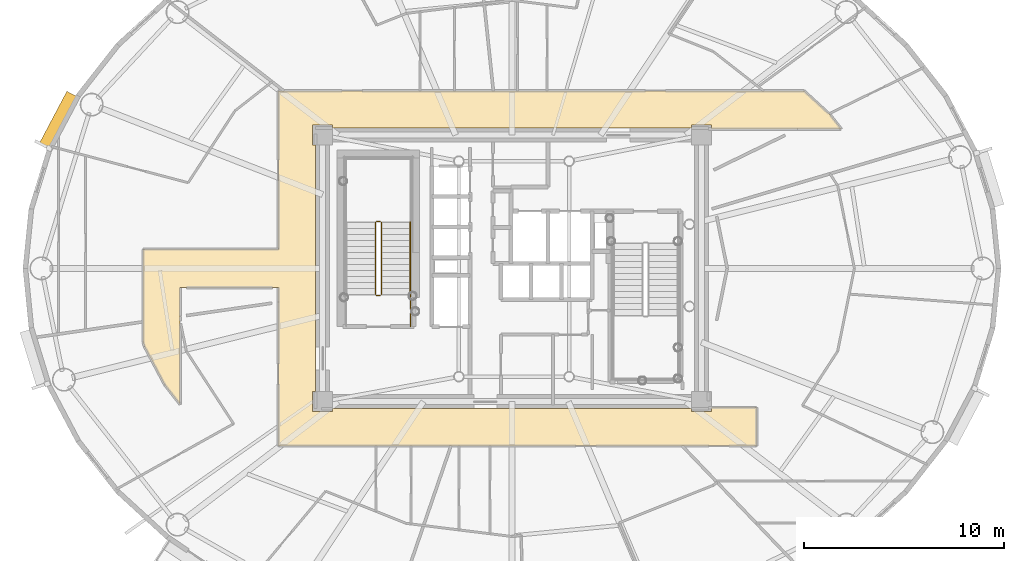
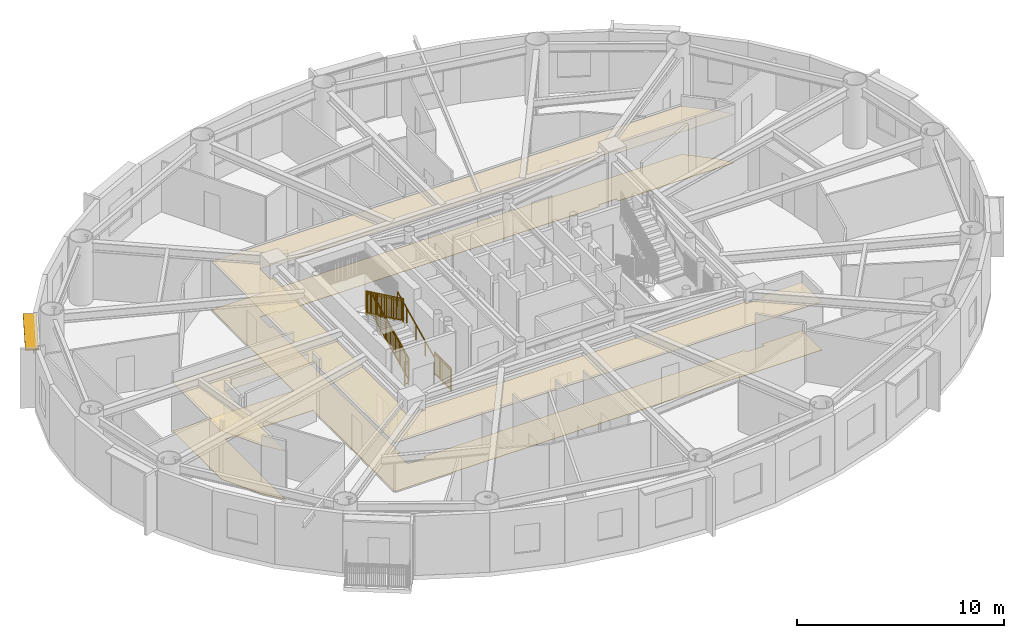
# One storey, part 15 of 19: 6 railings, 2 coverings, 1 shading device.
"""IFC4 building model written with IfcOpenShell, lengths in metres."""

from ifc_helpers import new_model, si_unit, direction, frame, origin, origin_2d, place, context, subcontext, project, spatial, polyline, rectangle, outline, extrude, source, transform, mapped, material, layer, layer_set, type_object, element, save


model = new_model("IFC4")

# Units and contexts
model_context = context("Model", 3, precision=1e-05, world=origin(), true_north=direction((0.0, 1.0)))
body_context = subcontext(model_context, "Body", "Model", "MODEL_VIEW")
ifc_project = project(units=[si_unit("LENGTHUNIT", "METRE"), si_unit("AREAUNIT", "SQUARE_METRE"), si_unit("VOLUMEUNIT", "CUBIC_METRE"), si_unit("PLANEANGLEUNIT", "RADIAN"), si_unit("MASSUNIT", "GRAM", prefix="KILO")], contexts=[model_context])

# Site, building, storey
site_placement = place(None, origin())
site = spatial("IfcSite", under=ifc_project, at=site_placement, CompositionType="ELEMENT")
building_placement = place(site_placement, origin())
building = spatial("IfcBuilding", under=site, at=building_placement, Name="Linh Dai School and Residence Tower", CompositionType="ELEMENT")
storey_placement = place(building_placement, frame((0.0, 0.0, 236.550048828125)))
storey = spatial("IfcBuildingStorey", under=building, at=storey_placement, Name="L58", CompositionType="ELEMENT", Elevation=236.550048828125)

# Coverings
ifc_material_1 = material(Name="Mineral Fibre Acoustic Suspended Ceiling", Category="masonry")
ifc_layer_1 = layer(ifc_material_1, 0.02001953125)
ifc_layer_set_1 = layer_set([ifc_layer_1], Name="Mineral Fibre Acoustic Suspended Ceiling")
covering_type_1 = type_object("IfcCoveringType", Name="COV-CEIL-AC-20", PredefinedType="CEILING", material=ifc_layer_set_1)
covering_1_placement = place(storey_placement, frame((0.0, 0.0, 2.849853515625)))
element("IfcCovering", 1, at=covering_1_placement, inside=storey, type_object=covering_type_1, Name="L58 Residential Floor Corridor Suspended Ceiling", PredefinedType="CEILING", context=body_context, shape_type="SweptSolid", body=[
    extrude(outline(polyline([(19.449951171875, 20.211181640625), (18.6806640625, 21.1943359375), (17.66650390625, 23.111083984375), (17.60009765625, 23.327880859375), (17.60009765625, 27.949951171875), (24.35009765625, 27.949951171875), (24.35009765625, 35.85009765625), (50.56787109375, 35.85009765625), (51.873779296875, 34.65283203125), (52.423828125, 33.949951171875), (45.949951171875, 33.949951171875), (45.949951171875, 34.14990234375), (44.949951171875, 34.14990234375), (44.949951171875, 34.0), (27.050048828125, 34.0), (27.050048828125, 34.14990234375), (26.050048828125, 34.14990234375), (26.050048828125, 33.14990234375), (26.199951171875, 33.14990234375), (26.199951171875, 20.85009765625), (26.050048828125, 20.85009765625), (26.050048828125, 19.85009765625), (27.050048828125, 19.85009765625), (27.050048828125, 20.0), (44.949951171875, 20.0), (44.949951171875, 19.85009765625), (45.949951171875, 19.85009765625), (45.949951171875, 20.050048828125), (48.199951171875, 20.050048828125), (48.199951171875, 18.14990234375), (24.35009765625, 18.14990234375), (24.35009765625, 26.050048828125), (19.449951171875, 26.050048828125), (19.449951171875, 20.211181640625)])), origin(), (0.0, 0.0, 1.0), 0.02001953125),
])
ifc_material_2 = material(Name="Polished Terrazzo Floor Finish", Category="masonry")
ifc_layer_2 = layer(ifc_material_2, 0.02490234375)
ifc_layer_set_2 = layer_set([ifc_layer_2], Name="Polished Terrazzo Floor Finish")
covering_type_2 = type_object("IfcCoveringType", Name="COV-FLR-TRZ-25", PredefinedType="FLOORING", material=ifc_layer_set_2)
covering_2_placement = place(storey_placement, origin())
element("IfcCovering", 2, at=covering_2_placement, inside=storey, type_object=covering_type_2, Name="L58 Residential Floor Corridor Floor Finish", PredefinedType="FLOORING", context=body_context, shape_type="SweptSolid", body=[
    extrude(outline(polyline([(19.449951171875, 20.211181640625), (18.6806640625, 21.1943359375), (17.66650390625, 23.111083984375), (17.60009765625, 23.327880859375), (17.60009765625, 27.949951171875), (24.35009765625, 27.949951171875), (24.35009765625, 35.85009765625), (50.56787109375, 35.85009765625), (51.873779296875, 34.65283203125), (52.423828125, 33.949951171875), (45.949951171875, 33.949951171875), (45.949951171875, 34.14990234375), (44.949951171875, 34.14990234375), (44.949951171875, 34.0), (27.050048828125, 34.0), (27.050048828125, 34.14990234375), (26.050048828125, 34.14990234375), (26.050048828125, 33.14990234375), (26.199951171875, 33.14990234375), (26.199951171875, 20.85009765625), (26.050048828125, 20.85009765625), (26.050048828125, 19.85009765625), (27.050048828125, 19.85009765625), (27.050048828125, 20.0), (44.949951171875, 20.0), (44.949951171875, 19.85009765625), (45.949951171875, 19.85009765625), (45.949951171875, 20.050048828125), (48.199951171875, 20.050048828125), (48.199951171875, 18.14990234375), (24.35009765625, 18.14990234375), (24.35009765625, 26.050048828125), (19.449951171875, 26.050048828125), (19.449951171875, 20.211181640625)])), origin(), (0.0, 0.0, 1.0), 0.02001953125),
])

# Shading device
ifc_material_3 = material(Name="Terracotta Ceramic Sunshade", Category="masonry")
ifc_layer_3 = layer(ifc_material_3, 0.10009765625)
ifc_layer_set_3 = layer_set([ifc_layer_3], Name="Terracotta Ceramic Sunshade")
shading_device_type = type_object("IfcShadingDeviceType", Name="SHD-TC-650", PredefinedType="USERDEFINED", material=ifc_layer_set_3)
shared_shape_1 = source(origin(), body_context, "Body", "SweptSolid", [
    extrude(rectangle(XDim=2.986083984375, YDim=0.64990234375, at=origin_2d()), origin(), (0.0, 0.0, 1.0), 0.10009765625),
])
shading_device_placement = place(storey_placement, frame((13.385009765625, 34.36376953125, 3.3798828125), z_axis=(0.0, 0.0, 1.0), x_axis=(0.467621224891, 0.883928950783, 0.0)))
element("IfcShadingDevice", 3, at=shading_device_placement, inside=storey, type_object=shading_device_type, Name="L58 Terracotta Horizontal Sunshade Band 18", ObjectType="SUNSHADE", PredefinedType="USERDEFINED", context=body_context, shape_type="MappedRepresentation", body=[
    mapped(shared_shape_1, transform((0.0, 0.0, 0.0), x_axis=(1.0, 0.0, 0.0), y_axis=(0.0, 1.0, 0.0), z_axis=(0.0, 0.0, 1.0), scale=1.0)),
])

# Railings
ifc_material_4 = material(Name="Structural Steel S355JR", Category="steel")
railing_type_1 = type_object("IfcRailingType", Name="RL-ST-GUARD-1400", PredefinedType="GUARDRAIL", material=ifc_material_4)
shared_shape_2 = source(origin(), body_context, "Body", "SweptSolid", [
    extrude(rectangle(XDim=0.048095703125, YDim=0.048095703125, at=origin_2d()), frame((0.0, 0.0, 1.3759765625), z_axis=(-1.0, 0.0, 0.0), x_axis=(0.0, -1.0, 0.0)), (0.0, 0.0, 1.0), 0.199951171875),
    extrude(rectangle(XDim=0.048095703125, YDim=0.048095703125, at=origin_2d()), frame((0.0, 0.0, 0.10009765625), z_axis=(-1.0, 0.0, 0.0), x_axis=(0.0, -1.0, 0.0)), (0.0, 0.0, 1.0), 0.199951171875),
    extrude(rectangle(XDim=0.030029296875, YDim=0.030029296875, at=origin_2d()), frame((0.0, 0.0, 1.239990234375), z_axis=(-1.0, 0.0, 0.0), x_axis=(0.0, -1.0, 0.0)), (0.0, 0.0, 1.0), 0.199951171875),
    extrude(rectangle(XDim=0.0419921875, YDim=0.0419921875, at=origin_2d()), origin(), (0.0, 0.0, 1.0), 1.3759765625),
    extrude(rectangle(XDim=0.0419921875, YDim=0.0419921875, at=origin_2d()), frame((-0.199951171875, 0.0, 0.0)), (0.0, 0.0, 1.0), 1.3759765625),
])
for number, where, name in (
    (4, (29.429931640625, 29.35009765625, 1.875), "L58 ST1 stair guard 2"),
    (5, (29.429931640625, 25.64990234375, 0.0), "L58 ST1 stair guard 7"),
):
    element("IfcRailing", number, at=place(storey_placement, frame(where)), inside=storey, type_object=railing_type_1, Name=name, PredefinedType="GUARDRAIL", context=body_context, shape_type="MappedRepresentation", body=[
        mapped(shared_shape_2, transform((0.0, 0.0, 0.0), x_axis=(1.0, 0.0, 0.0), y_axis=(0.0, 1.0, 0.0), z_axis=(0.0, 0.0, 1.0), scale=1.0)),
    ])
shared_shape_3 = source(origin(), body_context, "Body", "SweptSolid", [
    extrude(rectangle(XDim=0.048095703125, YDim=0.048095703125, at=origin_2d()), frame((0.0, 0.0, 1.3759765625), z_axis=(0.0, 1.0, 0.0), x_axis=(-1.0, 0.0, 0.0)), (0.0, 0.0, 1.0), 1.599853515625),
    extrude(rectangle(XDim=0.048095703125, YDim=0.048095703125, at=origin_2d()), frame((0.0, 0.0, 0.10009765625), z_axis=(0.0, 1.0, 0.0), x_axis=(-1.0, 0.0, 0.0)), (0.0, 0.0, 1.0), 1.599853515625),
    extrude(rectangle(XDim=0.030029296875, YDim=0.030029296875, at=origin_2d()), frame((0.0, 0.0, 1.239990234375), z_axis=(0.0, 1.0, 0.0), x_axis=(-1.0, 0.0, 0.0)), (0.0, 0.0, 1.0), 1.599853515625),
    extrude(rectangle(XDim=0.02001953125, YDim=0.02001953125, at=origin_2d()), frame((0.0, 0.093994140625, 0.10009765625)), (0.0, 0.0, 1.0), 1.251708984375),
    extrude(rectangle(XDim=0.02001953125, YDim=0.02001953125, at=origin_2d()), frame((0.0, 0.188232421875, 0.10009765625)), (0.0, 0.0, 1.0), 1.251708984375),
    extrude(rectangle(XDim=0.02001953125, YDim=0.02001953125, at=origin_2d()), frame((0.0, 0.2822265625, 0.10009765625)), (0.0, 0.0, 1.0), 1.251708984375),
    extrude(rectangle(XDim=0.02001953125, YDim=0.02001953125, at=origin_2d()), frame((0.0, 0.37646484375, 0.10009765625)), (0.0, 0.0, 1.0), 1.251708984375),
    extrude(rectangle(XDim=0.02001953125, YDim=0.02001953125, at=origin_2d()), frame((0.0, 0.470458984375, 0.10009765625)), (0.0, 0.0, 1.0), 1.251708984375),
    extrude(rectangle(XDim=0.02001953125, YDim=0.02001953125, at=origin_2d()), frame((0.0, 0.564697265625, 0.10009765625)), (0.0, 0.0, 1.0), 1.251708984375),
    extrude(rectangle(XDim=0.02001953125, YDim=0.02001953125, at=origin_2d()), frame((0.0, 0.65869140625, 0.10009765625)), (0.0, 0.0, 1.0), 1.251708984375),
    extrude(rectangle(XDim=0.02001953125, YDim=0.02001953125, at=origin_2d()), frame((0.0, 0.7529296875, 0.10009765625)), (0.0, 0.0, 1.0), 1.251708984375),
    extrude(rectangle(XDim=0.02001953125, YDim=0.02001953125, at=origin_2d()), frame((0.0, 0.846923828125, 0.10009765625)), (0.0, 0.0, 1.0), 1.251708984375),
    extrude(rectangle(XDim=0.02001953125, YDim=0.02001953125, at=origin_2d()), frame((0.0, 0.941162109375, 0.10009765625)), (0.0, 0.0, 1.0), 1.251708984375),
    extrude(rectangle(XDim=0.02001953125, YDim=0.02001953125, at=origin_2d()), frame((0.0, 1.03515625, 0.10009765625)), (0.0, 0.0, 1.0), 1.251708984375),
    extrude(rectangle(XDim=0.02001953125, YDim=0.02001953125, at=origin_2d()), frame((0.0, 1.12939453125, 0.10009765625)), (0.0, 0.0, 1.0), 1.251708984375),
    extrude(rectangle(XDim=0.02001953125, YDim=0.02001953125, at=origin_2d()), frame((0.0, 1.223388671875, 0.10009765625)), (0.0, 0.0, 1.0), 1.251708984375),
    extrude(rectangle(XDim=0.02001953125, YDim=0.02001953125, at=origin_2d()), frame((0.0, 1.317626953125, 0.10009765625)), (0.0, 0.0, 1.0), 1.251708984375),
    extrude(rectangle(XDim=0.02001953125, YDim=0.02001953125, at=origin_2d()), frame((0.0, 1.41162109375, 0.10009765625)), (0.0, 0.0, 1.0), 1.251708984375),
    extrude(rectangle(XDim=0.02001953125, YDim=0.02001953125, at=origin_2d()), frame((0.0, 1.505859375, 0.10009765625)), (0.0, 0.0, 1.0), 1.251708984375),
    extrude(rectangle(XDim=0.0419921875, YDim=0.0419921875, at=origin_2d()), origin(), (0.0, 0.0, 1.0), 1.3759765625),
    extrude(rectangle(XDim=0.0419921875, YDim=0.0419921875, at=origin_2d()), frame((0.0, 0.7998046875, 0.0)), (0.0, 0.0, 1.0), 1.3759765625),
    extrude(rectangle(XDim=0.0419921875, YDim=0.0419921875, at=origin_2d()), frame((0.0, 1.599853515625, 0.0)), (0.0, 0.0, 1.0), 1.3759765625),
])
railing_1_placement = place(storey_placement, frame((30.929931640625, 24.10009765625, 0.0)))
element("IfcRailing", 6, at=railing_1_placement, inside=storey, type_object=railing_type_1, Name="L58 ST1 stair guard 8", PredefinedType="GUARDRAIL", context=body_context, shape_type="MappedRepresentation", body=[
    mapped(shared_shape_3, transform((0.0, 0.0, 0.0), x_axis=(1.0, 0.0, 0.0), y_axis=(0.0, 1.0, 0.0), z_axis=(0.0, 0.0, 1.0), scale=1.0)),
])
shared_shape_4 = source(origin(), body_context, "Body", "SweptSolid", [
    extrude(rectangle(XDim=0.048095703125, YDim=0.048095703125, at=origin_2d()), frame((0.0, 0.0, 1.3759765625), z_axis=(0.0, 0.901262522062, 0.433273431364), x_axis=(-1.0, 0.0, 0.0)), (0.0, 0.0, 1.0), 3.994384765625),
    extrude(rectangle(XDim=0.048095703125, YDim=0.048095703125, at=origin_2d()), frame((0.0, 0.0, 0.10009765625), z_axis=(0.0, 0.901262522062, 0.433273431364), x_axis=(-1.0, 0.0, 0.0)), (0.0, 0.0, 1.0), 3.994384765625),
    extrude(rectangle(XDim=0.030029296875, YDim=0.030029296875, at=origin_2d()), frame((0.0, 0.0, 1.239990234375), z_axis=(0.0, 0.901262522062, 0.433273431364), x_axis=(-1.0, 0.0, 0.0)), (0.0, 0.0, 1.0), 3.994384765625),
    extrude(rectangle(XDim=0.02001953125, YDim=0.02001953125, at=origin_2d()), frame((0.0, 0.087890625, 0.142333984375)), (0.0, 0.0, 1.0), 1.251708984375),
    extrude(rectangle(XDim=0.02001953125, YDim=0.02001953125, at=origin_2d()), frame((0.0, 0.175537109375, 0.1845703125)), (0.0, 0.0, 1.0), 1.251708984375),
    extrude(rectangle(XDim=0.02001953125, YDim=0.02001953125, at=origin_2d()), frame((0.0, 0.263427734375, 0.226806640625)), (0.0, 0.0, 1.0), 1.251708984375),
    extrude(rectangle(XDim=0.02001953125, YDim=0.02001953125, at=origin_2d()), frame((0.0, 0.351318359375, 0.26904296875)), (0.0, 0.0, 1.0), 1.251708984375),
    extrude(rectangle(XDim=0.02001953125, YDim=0.02001953125, at=origin_2d()), frame((0.0, 0.43896484375, 0.311279296875)), (0.0, 0.0, 1.0), 1.251708984375),
    extrude(rectangle(XDim=0.02001953125, YDim=0.02001953125, at=origin_2d()), frame((0.0, 0.52685546875, 0.353271484375)), (0.0, 0.0, 1.0), 1.251708984375),
    extrude(rectangle(XDim=0.02001953125, YDim=0.02001953125, at=origin_2d()), frame((0.0, 0.61474609375, 0.3955078125)), (0.0, 0.0, 1.0), 1.251708984375),
    extrude(rectangle(XDim=0.02001953125, YDim=0.02001953125, at=origin_2d()), frame((0.0, 0.702392578125, 0.437744140625)), (0.0, 0.0, 1.0), 1.251708984375),
    extrude(rectangle(XDim=0.02001953125, YDim=0.02001953125, at=origin_2d()), frame((0.0, 0.790283203125, 0.47998046875)), (0.0, 0.0, 1.0), 1.251708984375),
    extrude(rectangle(XDim=0.02001953125, YDim=0.02001953125, at=origin_2d()), frame((0.0, 0.9658203125, 0.564453125)), (0.0, 0.0, 1.0), 1.251708984375),
    extrude(rectangle(XDim=0.02001953125, YDim=0.02001953125, at=origin_2d()), frame((0.0, 1.0537109375, 0.606689453125)), (0.0, 0.0, 1.0), 1.251708984375),
    extrude(rectangle(XDim=0.02001953125, YDim=0.02001953125, at=origin_2d()), frame((0.0, 1.1416015625, 0.64892578125)), (0.0, 0.0, 1.0), 1.251708984375),
    extrude(rectangle(XDim=0.02001953125, YDim=0.02001953125, at=origin_2d()), frame((0.0, 1.229248046875, 0.691162109375)), (0.0, 0.0, 1.0), 1.251708984375),
    extrude(rectangle(XDim=0.02001953125, YDim=0.02001953125, at=origin_2d()), frame((0.0, 1.317138671875, 0.7333984375)), (0.0, 0.0, 1.0), 1.251708984375),
    extrude(rectangle(XDim=0.02001953125, YDim=0.02001953125, at=origin_2d()), frame((0.0, 1.405029296875, 0.775390625)), (0.0, 0.0, 1.0), 1.251708984375),
    extrude(rectangle(XDim=0.02001953125, YDim=0.02001953125, at=origin_2d()), frame((0.0, 1.49267578125, 0.817626953125)), (0.0, 0.0, 1.0), 1.251708984375),
    extrude(rectangle(XDim=0.02001953125, YDim=0.02001953125, at=origin_2d()), frame((0.0, 1.58056640625, 0.85986328125)), (0.0, 0.0, 1.0), 1.251708984375),
    extrude(rectangle(XDim=0.02001953125, YDim=0.02001953125, at=origin_2d()), frame((0.0, 1.66845703125, 0.902099609375)), (0.0, 0.0, 1.0), 1.251708984375),
    extrude(rectangle(XDim=0.02001953125, YDim=0.02001953125, at=origin_2d()), frame((0.0, 1.756103515625, 0.9443359375)), (0.0, 0.0, 1.0), 1.251708984375),
    extrude(rectangle(XDim=0.02001953125, YDim=0.02001953125, at=origin_2d()), frame((0.0, 1.843994140625, 0.986572265625)), (0.0, 0.0, 1.0), 1.251708984375),
    extrude(rectangle(XDim=0.02001953125, YDim=0.02001953125, at=origin_2d()), frame((0.0, 1.931640625, 1.02880859375)), (0.0, 0.0, 1.0), 1.251708984375),
    extrude(rectangle(XDim=0.02001953125, YDim=0.02001953125, at=origin_2d()), frame((0.0, 2.01953125, 1.071044921875)), (0.0, 0.0, 1.0), 1.251708984375),
    extrude(rectangle(XDim=0.02001953125, YDim=0.02001953125, at=origin_2d()), frame((0.0, 2.107421875, 1.11328125)), (0.0, 0.0, 1.0), 1.251708984375),
    extrude(rectangle(XDim=0.02001953125, YDim=0.02001953125, at=origin_2d()), frame((0.0, 2.195068359375, 1.155517578125)), (0.0, 0.0, 1.0), 1.251708984375),
    extrude(rectangle(XDim=0.02001953125, YDim=0.02001953125, at=origin_2d()), frame((0.0, 2.282958984375, 1.197509765625)), (0.0, 0.0, 1.0), 1.251708984375),
    extrude(rectangle(XDim=0.02001953125, YDim=0.02001953125, at=origin_2d()), frame((0.0, 2.370849609375, 1.23974609375)), (0.0, 0.0, 1.0), 1.251708984375),
    extrude(rectangle(XDim=0.02001953125, YDim=0.02001953125, at=origin_2d()), frame((0.0, 2.45849609375, 1.281982421875)), (0.0, 0.0, 1.0), 1.251708984375),
    extrude(rectangle(XDim=0.02001953125, YDim=0.02001953125, at=origin_2d()), frame((0.0, 2.54638671875, 1.32421875)), (0.0, 0.0, 1.0), 1.251708984375),
    extrude(rectangle(XDim=0.02001953125, YDim=0.02001953125, at=origin_2d()), frame((0.0, 2.63427734375, 1.366455078125)), (0.0, 0.0, 1.0), 1.251708984375),
    extrude(rectangle(XDim=0.02001953125, YDim=0.02001953125, at=origin_2d()), frame((0.0, 2.809814453125, 1.450927734375)), (0.0, 0.0, 1.0), 1.251708984375),
    extrude(rectangle(XDim=0.02001953125, YDim=0.02001953125, at=origin_2d()), frame((0.0, 2.897705078125, 1.4931640625)), (0.0, 0.0, 1.0), 1.251708984375),
    extrude(rectangle(XDim=0.02001953125, YDim=0.02001953125, at=origin_2d()), frame((0.0, 2.9853515625, 1.535400390625)), (0.0, 0.0, 1.0), 1.251708984375),
    extrude(rectangle(XDim=0.02001953125, YDim=0.02001953125, at=origin_2d()), frame((0.0, 3.0732421875, 1.57763671875)), (0.0, 0.0, 1.0), 1.251708984375),
    extrude(rectangle(XDim=0.02001953125, YDim=0.02001953125, at=origin_2d()), frame((0.0, 3.1611328125, 1.61962890625)), (0.0, 0.0, 1.0), 1.251708984375),
    extrude(rectangle(XDim=0.02001953125, YDim=0.02001953125, at=origin_2d()), frame((0.0, 3.248779296875, 1.661865234375)), (0.0, 0.0, 1.0), 1.251708984375),
    extrude(rectangle(XDim=0.02001953125, YDim=0.02001953125, at=origin_2d()), frame((0.0, 3.336669921875, 1.7041015625)), (0.0, 0.0, 1.0), 1.251708984375),
    extrude(rectangle(XDim=0.02001953125, YDim=0.02001953125, at=origin_2d()), frame((0.0, 3.424560546875, 1.746337890625)), (0.0, 0.0, 1.0), 1.251708984375),
    extrude(rectangle(XDim=0.02001953125, YDim=0.02001953125, at=origin_2d()), frame((0.0, 3.51220703125, 1.78857421875)), (0.0, 0.0, 1.0), 1.251708984375),
    extrude(rectangle(XDim=0.0419921875, YDim=0.0419921875, at=origin_2d()), origin(), (0.0, 0.0, 1.0), 1.3759765625),
    extrude(rectangle(XDim=0.0419921875, YDim=0.0419921875, at=origin_2d()), frame((0.0, 0.89990234375, 0.4326171875)), (0.0, 0.0, 1.0), 1.3759765625),
    extrude(rectangle(XDim=0.0419921875, YDim=0.0419921875, at=origin_2d()), frame((0.0, 1.800048828125, 0.865234375)), (0.0, 0.0, 1.0), 1.3759765625),
    extrude(rectangle(XDim=0.0419921875, YDim=0.0419921875, at=origin_2d()), frame((0.0, 2.7001953125, 1.298095703125)), (0.0, 0.0, 1.0), 1.3759765625),
    extrude(rectangle(XDim=0.0419921875, YDim=0.0419921875, at=origin_2d()), frame((0.0, 3.60009765625, 1.730712890625)), (0.0, 0.0, 1.0), 1.3759765625),
])
railing_2_placement = place(storey_placement, frame((29.47998046875, 25.699951171875, 0.144287109375)))
element("IfcRailing", 7, at=railing_2_placement, inside=storey, type_object=railing_type_1, Name="L58 ST1 stair guard 1", PredefinedType="GUARDRAIL", context=body_context, shape_type="MappedRepresentation", body=[
    mapped(shared_shape_4, transform((0.0, 0.0, 0.0), x_axis=(1.0, 0.0, 0.0), y_axis=(0.0, 1.0, 0.0), z_axis=(0.0, 0.0, 1.0), scale=1.0)),
])
shared_shape_5 = source(origin(), body_context, "Body", "SweptSolid", [
    extrude(rectangle(XDim=0.048095703125, YDim=0.048095703125, at=origin_2d()), frame((0.0, 0.0, 1.3759765625), z_axis=(0.0, -0.901262522062, 0.433273431364), x_axis=(1.0, 0.0, 0.0)), (0.0, 0.0, 1.0), 3.994384765625),
    extrude(rectangle(XDim=0.048095703125, YDim=0.048095703125, at=origin_2d()), frame((0.0, 0.0, 0.10009765625), z_axis=(0.0, -0.901262522062, 0.433273431364), x_axis=(1.0, 0.0, 0.0)), (0.0, 0.0, 1.0), 3.994384765625),
    extrude(rectangle(XDim=0.030029296875, YDim=0.030029296875, at=origin_2d()), frame((0.0, 0.0, 1.239990234375), z_axis=(0.0, -0.901262522062, 0.433273431364), x_axis=(1.0, 0.0, 0.0)), (0.0, 0.0, 1.0), 3.994384765625),
    extrude(rectangle(XDim=0.02001953125, YDim=0.02001953125, at=origin_2d()), frame((0.0, -0.087890625, 0.142333984375)), (0.0, 0.0, 1.0), 1.251708984375),
    extrude(rectangle(XDim=0.02001953125, YDim=0.02001953125, at=origin_2d()), frame((0.0, -0.175537109375, 0.1845703125)), (0.0, 0.0, 1.0), 1.251708984375),
    extrude(rectangle(XDim=0.02001953125, YDim=0.02001953125, at=origin_2d()), frame((0.0, -0.263427734375, 0.226806640625)), (0.0, 0.0, 1.0), 1.251708984375),
    extrude(rectangle(XDim=0.02001953125, YDim=0.02001953125, at=origin_2d()), frame((0.0, -0.351318359375, 0.26904296875)), (0.0, 0.0, 1.0), 1.251708984375),
    extrude(rectangle(XDim=0.02001953125, YDim=0.02001953125, at=origin_2d()), frame((0.0, -0.43896484375, 0.311279296875)), (0.0, 0.0, 1.0), 1.251708984375),
    extrude(rectangle(XDim=0.02001953125, YDim=0.02001953125, at=origin_2d()), frame((0.0, -0.52685546875, 0.353271484375)), (0.0, 0.0, 1.0), 1.251708984375),
    extrude(rectangle(XDim=0.02001953125, YDim=0.02001953125, at=origin_2d()), frame((0.0, -0.61474609375, 0.3955078125)), (0.0, 0.0, 1.0), 1.251708984375),
    extrude(rectangle(XDim=0.02001953125, YDim=0.02001953125, at=origin_2d()), frame((0.0, -0.702392578125, 0.437744140625)), (0.0, 0.0, 1.0), 1.251708984375),
    extrude(rectangle(XDim=0.02001953125, YDim=0.02001953125, at=origin_2d()), frame((0.0, -0.790283203125, 0.47998046875)), (0.0, 0.0, 1.0), 1.251708984375),
    extrude(rectangle(XDim=0.02001953125, YDim=0.02001953125, at=origin_2d()), frame((0.0, -0.9658203125, 0.564453125)), (0.0, 0.0, 1.0), 1.251708984375),
    extrude(rectangle(XDim=0.02001953125, YDim=0.02001953125, at=origin_2d()), frame((0.0, -1.0537109375, 0.606689453125)), (0.0, 0.0, 1.0), 1.251708984375),
    extrude(rectangle(XDim=0.02001953125, YDim=0.02001953125, at=origin_2d()), frame((0.0, -1.1416015625, 0.64892578125)), (0.0, 0.0, 1.0), 1.251708984375),
    extrude(rectangle(XDim=0.02001953125, YDim=0.02001953125, at=origin_2d()), frame((0.0, -1.229248046875, 0.691162109375)), (0.0, 0.0, 1.0), 1.251708984375),
    extrude(rectangle(XDim=0.02001953125, YDim=0.02001953125, at=origin_2d()), frame((0.0, -1.317138671875, 0.7333984375)), (0.0, 0.0, 1.0), 1.251708984375),
    extrude(rectangle(XDim=0.02001953125, YDim=0.02001953125, at=origin_2d()), frame((0.0, -1.405029296875, 0.775390625)), (0.0, 0.0, 1.0), 1.251708984375),
    extrude(rectangle(XDim=0.02001953125, YDim=0.02001953125, at=origin_2d()), frame((0.0, -1.49267578125, 0.817626953125)), (0.0, 0.0, 1.0), 1.251708984375),
    extrude(rectangle(XDim=0.02001953125, YDim=0.02001953125, at=origin_2d()), frame((0.0, -1.58056640625, 0.85986328125)), (0.0, 0.0, 1.0), 1.251708984375),
    extrude(rectangle(XDim=0.02001953125, YDim=0.02001953125, at=origin_2d()), frame((0.0, -1.66845703125, 0.902099609375)), (0.0, 0.0, 1.0), 1.251708984375),
    extrude(rectangle(XDim=0.02001953125, YDim=0.02001953125, at=origin_2d()), frame((0.0, -1.756103515625, 0.9443359375)), (0.0, 0.0, 1.0), 1.251708984375),
    extrude(rectangle(XDim=0.02001953125, YDim=0.02001953125, at=origin_2d()), frame((0.0, -1.843994140625, 0.986572265625)), (0.0, 0.0, 1.0), 1.251708984375),
    extrude(rectangle(XDim=0.02001953125, YDim=0.02001953125, at=origin_2d()), frame((0.0, -1.931640625, 1.02880859375)), (0.0, 0.0, 1.0), 1.251708984375),
    extrude(rectangle(XDim=0.02001953125, YDim=0.02001953125, at=origin_2d()), frame((0.0, -2.01953125, 1.071044921875)), (0.0, 0.0, 1.0), 1.251708984375),
    extrude(rectangle(XDim=0.02001953125, YDim=0.02001953125, at=origin_2d()), frame((0.0, -2.107421875, 1.11328125)), (0.0, 0.0, 1.0), 1.251708984375),
    extrude(rectangle(XDim=0.02001953125, YDim=0.02001953125, at=origin_2d()), frame((0.0, -2.195068359375, 1.155517578125)), (0.0, 0.0, 1.0), 1.251708984375),
    extrude(rectangle(XDim=0.02001953125, YDim=0.02001953125, at=origin_2d()), frame((0.0, -2.282958984375, 1.197509765625)), (0.0, 0.0, 1.0), 1.251708984375),
    extrude(rectangle(XDim=0.02001953125, YDim=0.02001953125, at=origin_2d()), frame((0.0, -2.370849609375, 1.23974609375)), (0.0, 0.0, 1.0), 1.251708984375),
    extrude(rectangle(XDim=0.02001953125, YDim=0.02001953125, at=origin_2d()), frame((0.0, -2.45849609375, 1.281982421875)), (0.0, 0.0, 1.0), 1.251708984375),
    extrude(rectangle(XDim=0.02001953125, YDim=0.02001953125, at=origin_2d()), frame((0.0, -2.54638671875, 1.32421875)), (0.0, 0.0, 1.0), 1.251708984375),
    extrude(rectangle(XDim=0.02001953125, YDim=0.02001953125, at=origin_2d()), frame((0.0, -2.63427734375, 1.366455078125)), (0.0, 0.0, 1.0), 1.251708984375),
    extrude(rectangle(XDim=0.02001953125, YDim=0.02001953125, at=origin_2d()), frame((0.0, -2.809814453125, 1.450927734375)), (0.0, 0.0, 1.0), 1.251708984375),
    extrude(rectangle(XDim=0.02001953125, YDim=0.02001953125, at=origin_2d()), frame((0.0, -2.897705078125, 1.4931640625)), (0.0, 0.0, 1.0), 1.251708984375),
    extrude(rectangle(XDim=0.02001953125, YDim=0.02001953125, at=origin_2d()), frame((0.0, -2.9853515625, 1.535400390625)), (0.0, 0.0, 1.0), 1.251708984375),
    extrude(rectangle(XDim=0.02001953125, YDim=0.02001953125, at=origin_2d()), frame((0.0, -3.0732421875, 1.57763671875)), (0.0, 0.0, 1.0), 1.251708984375),
    extrude(rectangle(XDim=0.02001953125, YDim=0.02001953125, at=origin_2d()), frame((0.0, -3.1611328125, 1.61962890625)), (0.0, 0.0, 1.0), 1.251708984375),
    extrude(rectangle(XDim=0.02001953125, YDim=0.02001953125, at=origin_2d()), frame((0.0, -3.248779296875, 1.661865234375)), (0.0, 0.0, 1.0), 1.251708984375),
    extrude(rectangle(XDim=0.02001953125, YDim=0.02001953125, at=origin_2d()), frame((0.0, -3.336669921875, 1.7041015625)), (0.0, 0.0, 1.0), 1.251708984375),
    extrude(rectangle(XDim=0.02001953125, YDim=0.02001953125, at=origin_2d()), frame((0.0, -3.424560546875, 1.746337890625)), (0.0, 0.0, 1.0), 1.251708984375),
    extrude(rectangle(XDim=0.02001953125, YDim=0.02001953125, at=origin_2d()), frame((0.0, -3.51220703125, 1.78857421875)), (0.0, 0.0, 1.0), 1.251708984375),
    extrude(rectangle(XDim=0.0419921875, YDim=0.0419921875, at=origin_2d()), origin(), (0.0, 0.0, 1.0), 1.3759765625),
    extrude(rectangle(XDim=0.0419921875, YDim=0.0419921875, at=origin_2d()), frame((0.0, -0.89990234375, 0.4326171875)), (0.0, 0.0, 1.0), 1.3759765625),
    extrude(rectangle(XDim=0.0419921875, YDim=0.0419921875, at=origin_2d()), frame((0.0, -1.800048828125, 0.865234375)), (0.0, 0.0, 1.0), 1.3759765625),
    extrude(rectangle(XDim=0.0419921875, YDim=0.0419921875, at=origin_2d()), frame((0.0, -2.7001953125, 1.298095703125)), (0.0, 0.0, 1.0), 1.3759765625),
    extrude(rectangle(XDim=0.0419921875, YDim=0.0419921875, at=origin_2d()), frame((0.0, -3.60009765625, 1.730712890625)), (0.0, 0.0, 1.0), 1.3759765625),
])
railing_3_placement = place(storey_placement, frame((29.179931640625, 29.300048828125, 2.019287109375)))
element("IfcRailing", 8, at=railing_3_placement, inside=storey, type_object=railing_type_1, Name="L58 ST1 stair guard 6", PredefinedType="GUARDRAIL", context=body_context, shape_type="MappedRepresentation", body=[
    mapped(shared_shape_5, transform((0.0, 0.0, 0.0), x_axis=(1.0, 0.0, 0.0), y_axis=(0.0, 1.0, 0.0), z_axis=(0.0, 0.0, 1.0), scale=1.0)),
])
ifc_material_5 = material(Name="Brushed Stainless Steel Handrail", Category="steel")
railing_type_2 = type_object("IfcRailingType", Name="RL-ST-HANDRAIL-900", PredefinedType="HANDRAIL", material=ifc_material_5)
shared_shape_6 = source(origin(), body_context, "Body", "SweptSolid", [
    extrude(rectangle(XDim=0.048095703125, YDim=0.048095703125, at=origin_2d()), frame((0.0, 0.0, 0.8759765625), z_axis=(0.0, 0.901262522062, 0.433273431364), x_axis=(-1.0, 0.0, 0.0)), (0.0, 0.0, 1.0), 3.994384765625),
    extrude(rectangle(XDim=0.0419921875, YDim=0.0419921875, at=origin_2d()), origin(), (0.0, 0.0, 1.0), 0.8759765625),
    extrude(rectangle(XDim=0.0419921875, YDim=0.0419921875, at=origin_2d()), frame((0.0, 0.89990234375, 0.4326171875)), (0.0, 0.0, 1.0), 0.8759765625),
    extrude(rectangle(XDim=0.0419921875, YDim=0.0419921875, at=origin_2d()), frame((0.0, 1.800048828125, 0.865234375)), (0.0, 0.0, 1.0), 0.8759765625),
    extrude(rectangle(XDim=0.0419921875, YDim=0.0419921875, at=origin_2d()), frame((0.0, 2.7001953125, 1.298095703125)), (0.0, 0.0, 1.0), 0.8759765625),
    extrude(rectangle(XDim=0.0419921875, YDim=0.0419921875, at=origin_2d()), frame((0.0, 3.60009765625, 1.730712890625)), (0.0, 0.0, 1.0), 0.8759765625),
])
railing_4_placement = place(storey_placement, frame((30.929931640625, 25.699951171875, 0.144287109375)))
element("IfcRailing", 9, at=railing_4_placement, inside=storey, type_object=railing_type_2, Name="L58 ST1 stair handrail 1", PredefinedType="HANDRAIL", context=body_context, shape_type="MappedRepresentation", body=[
    mapped(shared_shape_6, transform((0.0, 0.0, 0.0), x_axis=(1.0, 0.0, 0.0), y_axis=(0.0, 1.0, 0.0), z_axis=(0.0, 0.0, 1.0), scale=1.0)),
])

save(model, "model.ifc")
